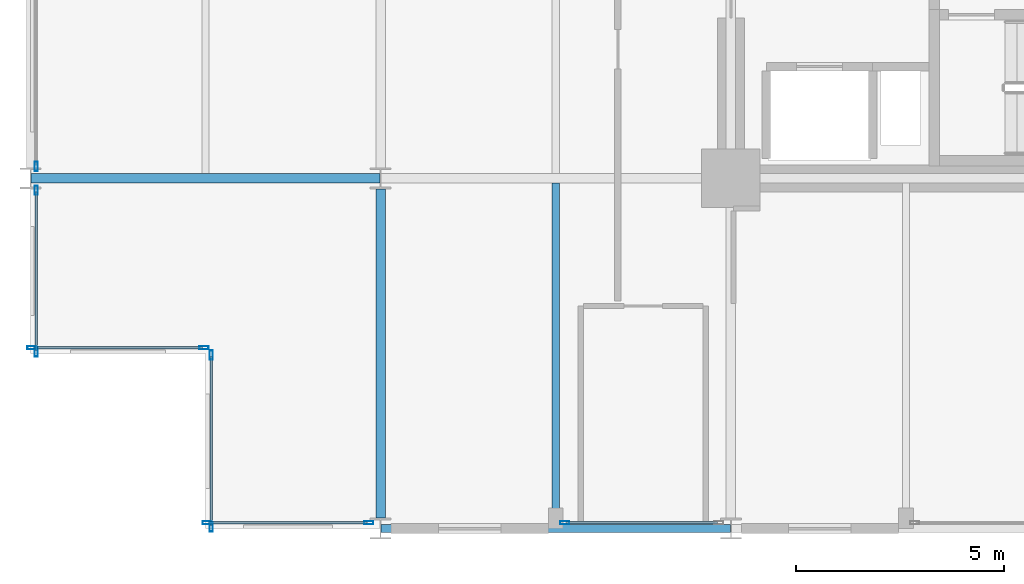
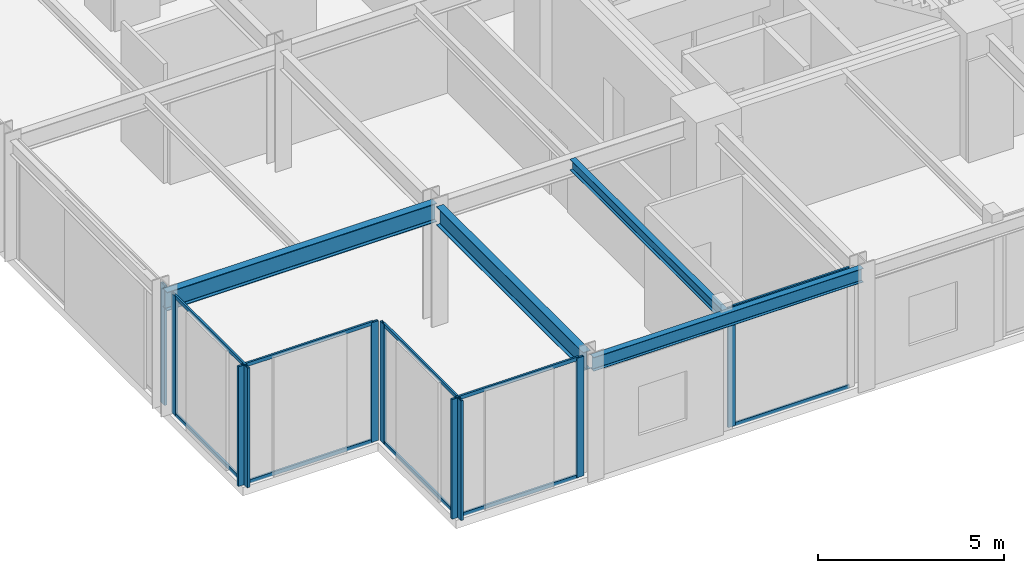
# One storey, part 2 of 24: 20 members, 4 beams, 6 elements without a shape of their own.
"""IFC4 building model written with IfcOpenShell, lengths in metres."""

from ifc_helpers import new_model, si_unit, direction, frame, origin, origin_2d, place, context, subcontext, project, spatial, hollow_rectangle, i_section, extrude, material, layer, layer_set, material_profile, profile_set, type_object, element, aggregate, save


model = new_model("IFC4")

# Units and contexts
model_context = context("Model", 3, precision=1e-05, world=origin(), true_north=direction((0.0, 1.0)))
body_context = subcontext(model_context, "Body", "Model", "MODEL_VIEW")
ifc_project = project(units=[si_unit("LENGTHUNIT", "METRE"), si_unit("AREAUNIT", "SQUARE_METRE"), si_unit("VOLUMEUNIT", "CUBIC_METRE"), si_unit("PLANEANGLEUNIT", "RADIAN"), si_unit("MASSUNIT", "GRAM", prefix="KILO")], contexts=[model_context])

# Site, building, storey
site_placement = place(None, origin())
site = spatial("IfcSite", under=ifc_project, at=site_placement, CompositionType="ELEMENT")
building_placement = place(site_placement, origin())
building = spatial("IfcBuilding", under=site, at=building_placement, Name="Nerrivon Quay Data Exchange", CompositionType="ELEMENT")
storey_placement = place(building_placement, frame((0.0, 0.0, 33.199951171875)))
storey = spatial("IfcBuildingStorey", under=building, at=storey_placement, Name="L07", CompositionType="ELEMENT", Elevation=33.199951171875)

# Beams
ifc_material_1 = material(Name="Steel Grade 350", Category="steel")
ifc_material_profile_1 = material_profile(ifc_material_1, i_section(OverallWidth=0.22900390625, OverallDepth=0.612060546875, WebThickness=0.011962890625, FlangeThickness=0.01953125, FilletRadius=0.013916015625, at=origin_2d()), Name="610UB125")
ifc_profile_set_1 = profile_set([ifc_material_profile_1], Name="Steel Grade 350")
beam_type_1 = type_object("IfcBeamType", Name="BM-G1-610UB125", PredefinedType="BEAM", material=ifc_profile_set_1)
beam_1_placement = place(storey_placement, frame((0.013916015625, 8.39990234375, 3.619140625), z_axis=(1.0, 0.0, 0.0), x_axis=(0.0, 1.0, 0.0)))
element("IfcBeam", 1, at=beam_1_placement, inside=storey, type_object=beam_type_1, Name="L07 EW Girder Y=8.4 (0.0..8.4)", PredefinedType="BEAM", context=body_context, shape_type="SweptSolid", body=[
    extrude(i_section(OverallWidth=0.22900390625, OverallDepth=0.612060546875, WebThickness=0.011962890625, FlangeThickness=0.01953125, FilletRadius=0.013916015625, at=origin_2d()), origin(), (0.0, 0.0, 1.0), 8.3720703125),
])
ifc_material_profile_2 = material_profile(ifc_material_1, i_section(OverallWidth=0.22802734375, OverallDepth=0.60205078125, WebThickness=0.010498046875, FlangeThickness=0.014892578125, FilletRadius=0.013916015625, at=origin_2d()), Name="610UB101")
ifc_profile_set_2 = profile_set([ifc_material_profile_2], Name="Steel Grade 350")
beam_type_2 = type_object("IfcBeamType", Name="BM-G2-610UB101", PredefinedType="BEAM", material=ifc_profile_set_2)
beam_2_placement = place(storey_placement, frame((8.39990234375, 0.25, 3.6240234375), z_axis=(0.0, 1.0, 0.0), x_axis=(-1.0, 0.0, 0.0)))
element("IfcBeam", 2, at=beam_2_placement, inside=storey, type_object=beam_type_2, Name="L07 NS Girder X=8.4 (0.0..8.4)", PredefinedType="BEAM", context=body_context, shape_type="SweptSolid", body=[
    extrude(i_section(OverallWidth=0.22802734375, OverallDepth=0.60205078125, WebThickness=0.010498046875, FlangeThickness=0.014892578125, FilletRadius=0.013916015625, at=origin_2d()), origin(), (0.0, 0.0, 1.0), 7.89990234375),
])
ifc_material_profile_3 = material_profile(ifc_material_1, i_section(OverallWidth=0.172119140625, OverallDepth=0.35888671875, WebThickness=0.008056640625, FlangeThickness=0.012939453125, FilletRadius=0.011474609375, at=origin_2d()), Name="360UB56.7")
ifc_profile_set_3 = profile_set([ifc_material_profile_3], Name="Steel Grade 350")
beam_type_3 = type_object("IfcBeamType", Name="BM-J3-360UB57", PredefinedType="JOIST", material=ifc_profile_set_3)
beam_3_placement = place(storey_placement, frame((12.60009765625, 0.094970703125, 3.74560546875), z_axis=(0.0, 1.0, 0.0), x_axis=(-1.0, 0.0, 0.0)))
element("IfcBeam", 3, at=beam_3_placement, inside=storey, type_object=beam_type_3, Name="L07 Secondary Joist X=12.6 (0.0..8.4)", PredefinedType="JOIST", context=body_context, shape_type="SweptSolid", body=[
    extrude(i_section(OverallWidth=0.172119140625, OverallDepth=0.35888671875, WebThickness=0.008056640625, FlangeThickness=0.012939453125, FilletRadius=0.011474609375, at=origin_2d()), origin(), (0.0, 0.0, 1.0), 8.1904296875),
])
ifc_material_profile_4 = material_profile(ifc_material_1, i_section(OverallWidth=0.18994140625, OverallDepth=0.4541015625, WebThickness=0.008544921875, FlangeThickness=0.0126953125, FilletRadius=0.011474609375, at=origin_2d()), Name="460UB67.1")
ifc_profile_set_4 = profile_set([ifc_material_profile_4], Name="Steel Grade 350")
beam_type_4 = type_object("IfcBeamType", Name="BM-SP1-460UB67", PredefinedType="SPANDREL", material=ifc_profile_set_4)
beam_4_placement = place(storey_placement, frame((8.4140625, 0.0, 3.697998046875), z_axis=(1.0, 0.0, 0.0), x_axis=(0.0, 1.0, 0.0)))
element("IfcBeam", 4, at=beam_4_placement, inside=storey, type_object=beam_type_4, Name="L07 EW Girder Y=0.0 (8.4..16.8)", PredefinedType="SPANDREL", context=body_context, shape_type="SweptSolid", body=[
    extrude(i_section(OverallWidth=0.18994140625, OverallDepth=0.4541015625, WebThickness=0.008544921875, FlangeThickness=0.0126953125, FilletRadius=0.011474609375, at=origin_2d()), origin(), (0.0, 0.0, 1.0), 8.371826171875),
])

# Curtain wall, member
ifc_material_2 = material(Name="Anodised aluminium 6063-T6", Category="aluminium")
ifc_layer = layer(ifc_material_2, 0.219970703125)
ifc_layer_set = layer_set([ifc_layer], Name="Anodised aluminium 6063-T6")
curtain_wall_type = type_object("IfcCurtainWallType", Name="CW-SYS-01", PredefinedType="NOTDEFINED", material=ifc_layer_set)
curtain_wall_1_placement = place(storey_placement, origin())
curtain_wall_1 = element("IfcCurtainWall", 5, at=curtain_wall_1_placement, inside=storey, type_object=curtain_wall_type, Name="L07 Unitised Curtain Wall 8", PredefinedType="NOTDEFINED")
ifc_material_profile_5 = material_profile(ifc_material_2, hollow_rectangle(XDim=0.074951171875, YDim=0.219970703125, WallThickness=0.00390625, at=origin_2d()), Name="ALU-MULL-220x75")
ifc_profile_set_5 = profile_set([ifc_material_profile_5], Name="Anodised aluminium 6063-T6")
member_type_1 = type_object("IfcMemberType", Name="CWM-220x75", PredefinedType="MULLION", material=ifc_profile_set_5)
member_1_placement = place(storey_placement, frame((12.8125, 0.139892578125, 0.0), z_axis=(0.0, 0.0, 1.0), x_axis=(0.0, -1.0, 0.0)))
member_1 = element("IfcMember", 6, at=member_1_placement, type_object=member_type_1, Name="CW01 mullion 2", PredefinedType="MULLION", context=body_context, shape_type="SweptSolid", body=[
    extrude(hollow_rectangle(XDim=0.074951171875, YDim=0.219970703125, WallThickness=0.00390625, at=origin_2d()), origin(), (0.0, 0.0, 1.0), 3.925048828125),
])

# Curtain wall, members
curtain_wall_2_placement = place(storey_placement, origin())
curtain_wall_2 = element("IfcCurtainWall", 7, at=curtain_wall_2_placement, inside=storey, type_object=curtain_wall_type, Name="L07 Unitised Curtain Wall 10", PredefinedType="NOTDEFINED")
member_2_placement = place(storey_placement, frame((8.112548828125, 0.139892578125, 0.0), z_axis=(0.0, 0.0, 1.0), x_axis=(0.0, -1.0, 0.0)))
member_2 = element("IfcMember", 8, at=member_2_placement, type_object=member_type_1, Name="CW01 mullion 1", PredefinedType="MULLION", context=body_context, shape_type="SweptSolid", body=[
    extrude(hollow_rectangle(XDim=0.074951171875, YDim=0.219970703125, WallThickness=0.00390625, at=origin_2d()), origin(), (0.0, 0.0, 1.0), 3.925048828125),
])
member_3_placement = place(storey_placement, frame((4.237548828125, 0.139892578125, 0.0), z_axis=(0.0, 0.0, 1.0), x_axis=(0.0, -1.0, 0.0)))
member_3 = element("IfcMember", 9, at=member_3_placement, type_object=member_type_1, Name="CW01 mullion 2", PredefinedType="MULLION", context=body_context, shape_type="SweptSolid", body=[
    extrude(hollow_rectangle(XDim=0.074951171875, YDim=0.219970703125, WallThickness=0.00390625, at=origin_2d()), origin(), (0.0, 0.0, 1.0), 3.925048828125),
])

curtain_wall_3_placement = place(storey_placement, origin())
curtain_wall_3 = element("IfcCurtainWall", 10, at=curtain_wall_3_placement, inside=storey, type_object=curtain_wall_type, Name="L07 Unitised Curtain Wall 11", PredefinedType="NOTDEFINED")
member_4_placement = place(storey_placement, frame((4.340087890625, 0.03759765625, 0.0), z_axis=(0.0, 0.0, 1.0), x_axis=(-1.0, 0.0, 0.0)))
member_4 = element("IfcMember", 11, at=member_4_placement, type_object=member_type_1, Name="CW01 mullion 1", PredefinedType="MULLION", context=body_context, shape_type="SweptSolid", body=[
    extrude(hollow_rectangle(XDim=0.074951171875, YDim=0.219970703125, WallThickness=0.00390625, at=origin_2d()), origin(), (0.0, 0.0, 1.0), 3.925048828125),
])
member_5_placement = place(storey_placement, frame((4.340087890625, 4.16259765625, 0.0), z_axis=(0.0, 0.0, 1.0), x_axis=(-1.0, 0.0, 0.0)))
member_5 = element("IfcMember", 12, at=member_5_placement, type_object=member_type_1, Name="CW01 mullion 2", PredefinedType="MULLION", context=body_context, shape_type="SweptSolid", body=[
    extrude(hollow_rectangle(XDim=0.074951171875, YDim=0.219970703125, WallThickness=0.00390625, at=origin_2d()), origin(), (0.0, 0.0, 1.0), 3.925048828125),
])

curtain_wall_4_placement = place(storey_placement, origin())
curtain_wall_4 = element("IfcCurtainWall", 13, at=curtain_wall_4_placement, inside=storey, type_object=curtain_wall_type, Name="L07 Unitised Curtain Wall 12", PredefinedType="NOTDEFINED")
member_6_placement = place(storey_placement, frame((4.16259765625, 4.340087890625, 0.0), z_axis=(0.0, 0.0, 1.0), x_axis=(0.0, -1.0, 0.0)))
member_6 = element("IfcMember", 14, at=member_6_placement, type_object=member_type_1, Name="CW01 mullion 1", PredefinedType="MULLION", context=body_context, shape_type="SweptSolid", body=[
    extrude(hollow_rectangle(XDim=0.074951171875, YDim=0.219970703125, WallThickness=0.00390625, at=origin_2d()), origin(), (0.0, 0.0, 1.0), 3.925048828125),
])
member_7_placement = place(storey_placement, frame((0.03759765625, 4.340087890625, 0.0), z_axis=(0.0, 0.0, 1.0), x_axis=(0.0, -1.0, 0.0)))
member_7 = element("IfcMember", 15, at=member_7_placement, type_object=member_type_1, Name="CW01 mullion 2", PredefinedType="MULLION", context=body_context, shape_type="SweptSolid", body=[
    extrude(hollow_rectangle(XDim=0.074951171875, YDim=0.219970703125, WallThickness=0.00390625, at=origin_2d()), origin(), (0.0, 0.0, 1.0), 3.925048828125),
])

curtain_wall_5_placement = place(storey_placement, origin())
curtain_wall_5 = element("IfcCurtainWall", 16, at=curtain_wall_5_placement, inside=storey, type_object=curtain_wall_type, Name="L07 Unitised Curtain Wall 13", PredefinedType="NOTDEFINED")
member_8_placement = place(storey_placement, frame((0.139892578125, 4.237548828125, 0.0), z_axis=(0.0, 0.0, 1.0), x_axis=(-1.0, 0.0, 0.0)))
member_8 = element("IfcMember", 17, at=member_8_placement, type_object=member_type_1, Name="CW01 mullion 1", PredefinedType="MULLION", context=body_context, shape_type="SweptSolid", body=[
    extrude(hollow_rectangle(XDim=0.074951171875, YDim=0.219970703125, WallThickness=0.00390625, at=origin_2d()), origin(), (0.0, 0.0, 1.0), 3.925048828125),
])
member_9_placement = place(storey_placement, frame((0.139892578125, 8.112548828125, 0.0), z_axis=(0.0, 0.0, 1.0), x_axis=(-1.0, 0.0, 0.0)))
member_9 = element("IfcMember", 18, at=member_9_placement, type_object=member_type_1, Name="CW01 mullion 2", PredefinedType="MULLION", context=body_context, shape_type="SweptSolid", body=[
    extrude(hollow_rectangle(XDim=0.074951171875, YDim=0.219970703125, WallThickness=0.00390625, at=origin_2d()), origin(), (0.0, 0.0, 1.0), 3.925048828125),
])

# Curtain wall, member
curtain_wall_6_placement = place(storey_placement, origin())
curtain_wall_6 = element("IfcCurtainWall", 19, at=curtain_wall_6_placement, inside=storey, type_object=curtain_wall_type, Name="L07 Unitised Curtain Wall 14", PredefinedType="NOTDEFINED")
member_10_placement = place(storey_placement, frame((0.139892578125, 8.6875, 0.0), z_axis=(0.0, 0.0, 1.0), x_axis=(-1.0, 0.0, 0.0)))
member_10 = element("IfcMember", 20, at=member_10_placement, type_object=member_type_1, Name="CW01 mullion 1", PredefinedType="MULLION", context=body_context, shape_type="SweptSolid", body=[
    extrude(hollow_rectangle(XDim=0.074951171875, YDim=0.219970703125, WallThickness=0.00390625, at=origin_2d()), origin(), (0.0, 0.0, 1.0), 3.925048828125),
])
aggregate(curtain_wall_6, [member_10])

# Member
ifc_material_profile_6 = material_profile(ifc_material_2, hollow_rectangle(XDim=0.06005859375, YDim=0.1201171875, WallThickness=0.003173828125, at=origin_2d()), Name="ALU-TRAN-120x60")
ifc_profile_set_6 = profile_set([ifc_material_profile_6], Name="Anodised aluminium 6063-T6")
member_type_2 = type_object("IfcMemberType", Name="CWT-120x60", PredefinedType="USERDEFINED", material=ifc_profile_set_6)
member_11_placement = place(storey_placement, frame((16.47509765625, 0.139892578125, 0.032470703125), z_axis=(-1.0, 0.0, 0.0), x_axis=(0.0, -1.0, 0.0)))
member_11 = element("IfcMember", 21, at=member_11_placement, type_object=member_type_2, Name="CW01 transom 1.1", ObjectType="TRANSOM", PredefinedType="USERDEFINED", context=body_context, shape_type="SweptSolid", body=[
    extrude(hollow_rectangle(XDim=0.06005859375, YDim=0.1201171875, WallThickness=0.003173828125, at=origin_2d()), origin(), (0.0, 0.0, 1.0), 3.625),
])

member_12_placement = place(storey_placement, frame((16.47509765625, 0.139892578125, 3.892578125), z_axis=(-1.0, 0.0, 0.0), x_axis=(0.0, -1.0, 0.0)))
member_12 = element("IfcMember", 22, at=member_12_placement, type_object=member_type_2, Name="CW01 transom 1.2", ObjectType="TRANSOM", PredefinedType="USERDEFINED", context=body_context, shape_type="SweptSolid", body=[
    extrude(hollow_rectangle(XDim=0.06005859375, YDim=0.1201171875, WallThickness=0.003173828125, at=origin_2d()), origin(), (0.0, 0.0, 1.0), 3.625),
])

aggregate(curtain_wall_1, [member_1, member_11, member_12])

member_13_placement = place(storey_placement, frame((8.074951171875, 0.139892578125, 0.032470703125), z_axis=(-1.0, 0.0, 0.0), x_axis=(0.0, -1.0, 0.0)))
member_13 = element("IfcMember", 23, at=member_13_placement, type_object=member_type_2, Name="CW01 transom 1.1", ObjectType="TRANSOM", PredefinedType="USERDEFINED", context=body_context, shape_type="SweptSolid", body=[
    extrude(hollow_rectangle(XDim=0.06005859375, YDim=0.1201171875, WallThickness=0.003173828125, at=origin_2d()), origin(), (0.0, 0.0, 1.0), 3.800048828125),
])

member_14_placement = place(storey_placement, frame((8.074951171875, 0.139892578125, 3.892578125), z_axis=(-1.0, 0.0, 0.0), x_axis=(0.0, -1.0, 0.0)))
member_14 = element("IfcMember", 24, at=member_14_placement, type_object=member_type_2, Name="CW01 transom 1.2", ObjectType="TRANSOM", PredefinedType="USERDEFINED", context=body_context, shape_type="SweptSolid", body=[
    extrude(hollow_rectangle(XDim=0.06005859375, YDim=0.1201171875, WallThickness=0.003173828125, at=origin_2d()), origin(), (0.0, 0.0, 1.0), 3.800048828125),
])

aggregate(curtain_wall_2, [member_2, member_3, member_13, member_14])

member_15_placement = place(storey_placement, frame((4.340087890625, 0.074951171875, 0.032470703125), z_axis=(0.0, 1.0, 0.0), x_axis=(-1.0, 0.0, 0.0)))
member_15 = element("IfcMember", 25, at=member_15_placement, type_object=member_type_2, Name="CW01 transom 1.1", ObjectType="TRANSOM", PredefinedType="USERDEFINED", context=body_context, shape_type="SweptSolid", body=[
    extrude(hollow_rectangle(XDim=0.06005859375, YDim=0.1201171875, WallThickness=0.003173828125, at=origin_2d()), origin(), (0.0, 0.0, 1.0), 4.050048828125),
])

member_16_placement = place(storey_placement, frame((4.340087890625, 0.074951171875, 3.892578125), z_axis=(0.0, 1.0, 0.0), x_axis=(-1.0, 0.0, 0.0)))
member_16 = element("IfcMember", 26, at=member_16_placement, type_object=member_type_2, Name="CW01 transom 1.2", ObjectType="TRANSOM", PredefinedType="USERDEFINED", context=body_context, shape_type="SweptSolid", body=[
    extrude(hollow_rectangle(XDim=0.06005859375, YDim=0.1201171875, WallThickness=0.003173828125, at=origin_2d()), origin(), (0.0, 0.0, 1.0), 4.050048828125),
])

aggregate(curtain_wall_3, [member_4, member_5, member_15, member_16])

member_17_placement = place(storey_placement, frame((4.125, 4.340087890625, 0.032470703125), z_axis=(-1.0, 0.0, 0.0), x_axis=(0.0, -1.0, 0.0)))
member_17 = element("IfcMember", 27, at=member_17_placement, type_object=member_type_2, Name="CW01 transom 1.1", ObjectType="TRANSOM", PredefinedType="USERDEFINED", context=body_context, shape_type="SweptSolid", body=[
    extrude(hollow_rectangle(XDim=0.06005859375, YDim=0.1201171875, WallThickness=0.003173828125, at=origin_2d()), origin(), (0.0, 0.0, 1.0), 4.050048828125),
])

member_18_placement = place(storey_placement, frame((4.125, 4.340087890625, 3.892578125), z_axis=(-1.0, 0.0, 0.0), x_axis=(0.0, -1.0, 0.0)))
member_18 = element("IfcMember", 28, at=member_18_placement, type_object=member_type_2, Name="CW01 transom 1.2", ObjectType="TRANSOM", PredefinedType="USERDEFINED", context=body_context, shape_type="SweptSolid", body=[
    extrude(hollow_rectangle(XDim=0.06005859375, YDim=0.1201171875, WallThickness=0.003173828125, at=origin_2d()), origin(), (0.0, 0.0, 1.0), 4.050048828125),
])

aggregate(curtain_wall_4, [member_6, member_7, member_17, member_18])

member_19_placement = place(storey_placement, frame((0.139892578125, 4.27490234375, 0.032470703125), z_axis=(0.0, 1.0, 0.0), x_axis=(-1.0, 0.0, 0.0)))
member_19 = element("IfcMember", 29, at=member_19_placement, type_object=member_type_2, Name="CW01 transom 1.1", ObjectType="TRANSOM", PredefinedType="USERDEFINED", context=body_context, shape_type="SweptSolid", body=[
    extrude(hollow_rectangle(XDim=0.06005859375, YDim=0.1201171875, WallThickness=0.003173828125, at=origin_2d()), origin(), (0.0, 0.0, 1.0), 3.800048828125),
])

member_20_placement = place(storey_placement, frame((0.139892578125, 4.27490234375, 3.892578125), z_axis=(0.0, 1.0, 0.0), x_axis=(-1.0, 0.0, 0.0)))
member_20 = element("IfcMember", 30, at=member_20_placement, type_object=member_type_2, Name="CW01 transom 1.2", ObjectType="TRANSOM", PredefinedType="USERDEFINED", context=body_context, shape_type="SweptSolid", body=[
    extrude(hollow_rectangle(XDim=0.06005859375, YDim=0.1201171875, WallThickness=0.003173828125, at=origin_2d()), origin(), (0.0, 0.0, 1.0), 3.800048828125),
])

aggregate(curtain_wall_5, [member_8, member_9, member_19, member_20])

save(model, "model.ifc")
